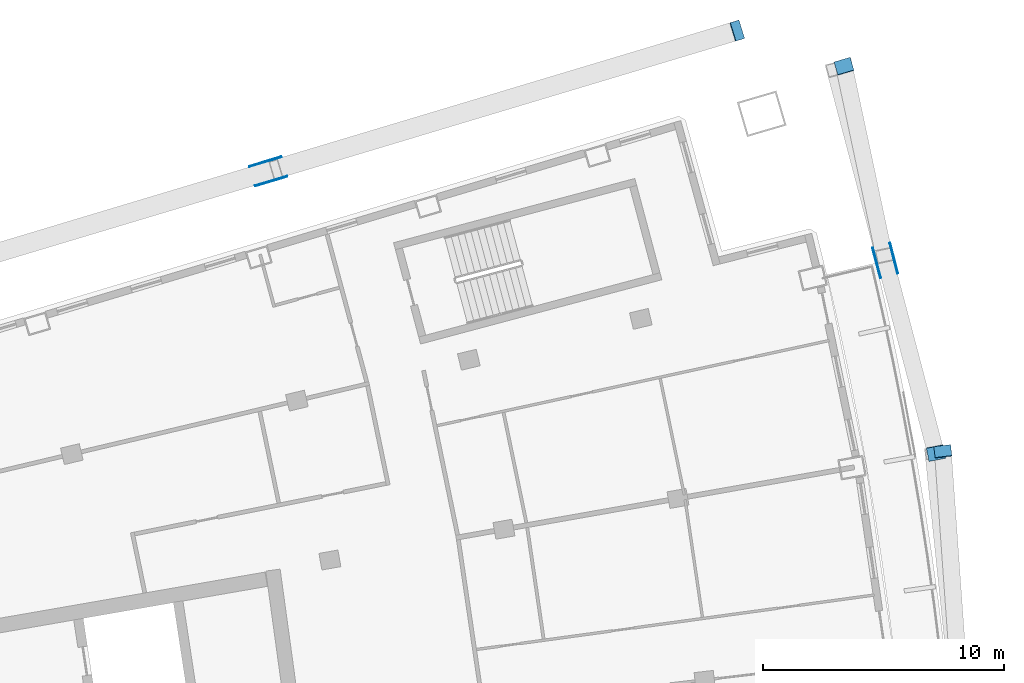
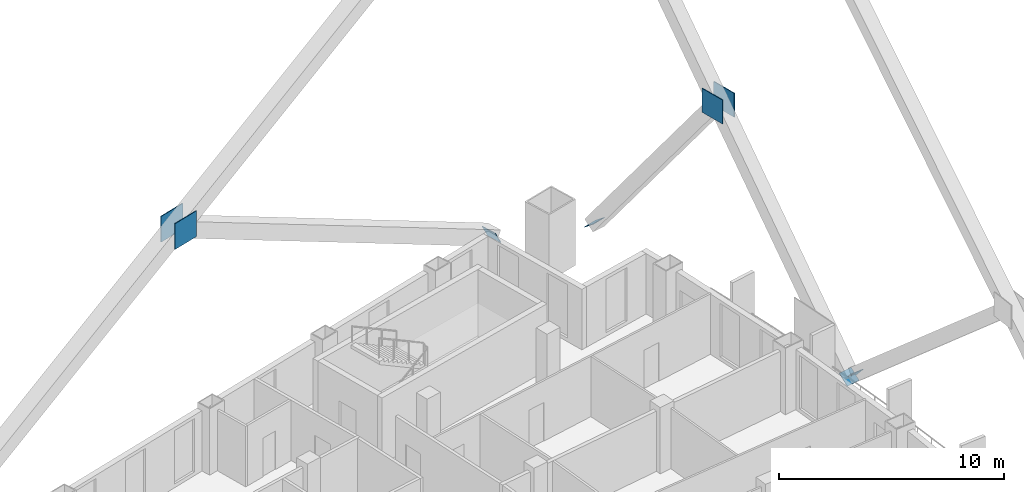
# One storey, part 18 of 20: 8 discrete accessories.
"""IFC4 building model written with IfcOpenShell, lengths in metres."""

from ifc_helpers import new_model, si_unit, direction, frame, origin, origin_2d, place, context, subcontext, project, spatial, rectangle, extrude, material, material_profile, profile_set, type_object, element, save


model = new_model("IFC4")

# Units and contexts
model_context = context("Model", 3, precision=1e-05, world=origin(), true_north=direction((0.0, 1.0)))
body_context = subcontext(model_context, "Body", "Model", "MODEL_VIEW")
ifc_project = project(units=[si_unit("LENGTHUNIT", "METRE"), si_unit("AREAUNIT", "SQUARE_METRE"), si_unit("VOLUMEUNIT", "CUBIC_METRE"), si_unit("PLANEANGLEUNIT", "RADIAN"), si_unit("MASSUNIT", "GRAM", prefix="KILO")], contexts=[model_context])

# Site, building, storey
site_placement = place(None, origin())
site = spatial("IfcSite", under=ifc_project, at=site_placement, CompositionType="ELEMENT")
building_placement = place(site_placement, origin())
building = spatial("IfcBuilding", under=site, at=building_placement, Name="Alderwake Tower", CompositionType="ELEMENT")
storey_placement = place(building_placement, frame((0.0, 0.0, 210.800048828125)))
storey = spatial("IfcBuildingStorey", under=building, at=storey_placement, Name="L52", CompositionType="ELEMENT", Elevation=210.800048828125)

# Discrete accessories
ifc_material_1 = material(Name="Steel ASTM A572 Grade 50", Category="steel")
ifc_material_profile_1 = material_profile(ifc_material_1, rectangle(XDim=0.699951171875, YDim=0.699951171875, at=origin_2d()), Name="BOX 700X700X45 cap")
ifc_profile_set_1 = profile_set([ifc_material_profile_1], Name="Steel ASTM A572 Grade 50")
discrete_accessory_type_1 = type_object("IfcDiscreteAccessoryType", Name="End cap plate BOX 700X700X45", PredefinedType="USERDEFINED", material=ifc_profile_set_1)
discrete_accessory_1_placement = place(storey_placement, frame((59.466552734375, 85.658935546875, 0.0), z_axis=(-0.089859564923, 0.751552724807, 0.653524108528), x_axis=(-0.992927816807, -0.11871963027, 0.0)))
element("IfcDiscreteAccessory", 1, at=discrete_accessory_1_placement, inside=storey, type_object=discrete_accessory_type_1, Name="End cap BRF4.1.7A N", ObjectType="END CAP", PredefinedType="USERDEFINED", context=body_context, shape_type="SweptSolid", body=[
    extrude(rectangle(XDim=0.699951171875, YDim=0.699951171875, at=origin_2d()), origin(), (0.0, 0.0, 1.0), 0.02978515625),
])
discrete_accessory_2_placement = place(storey_placement, frame((55.3662109375, 101.640869140625, 0.0), z_axis=(-0.17127028554, 0.587212407567, 0.791105604639), x_axis=(-0.96, -0.28, 0.0)))
element("IfcDiscreteAccessory", 2, at=discrete_accessory_2_placement, inside=storey, type_object=discrete_accessory_type_1, Name="End cap BRF4.1.10A N", ObjectType="END CAP", PredefinedType="USERDEFINED", context=body_context, shape_type="SweptSolid", body=[
    extrude(rectangle(XDim=0.699951171875, YDim=0.699951171875, at=origin_2d()), origin(), (0.0, 0.0, 1.0), 0.030029296875),
])
discrete_accessory_3_placement = place(storey_placement, frame((59.1767578125, 85.607666015625, 0.0), z_axis=(0.114561835219, -0.597358140783, 0.7937498583), x_axis=(0.982102279235, 0.188348382319, 0.0)))
element("IfcDiscreteAccessory", 3, at=discrete_accessory_3_placement, inside=storey, type_object=discrete_accessory_type_1, Name="End cap BRF4.1.10B2 N", ObjectType="END CAP", PredefinedType="USERDEFINED", context=body_context, shape_type="SweptSolid", body=[
    extrude(rectangle(XDim=0.699951171875, YDim=0.699951171875, at=origin_2d()), origin(), (0.0, 0.0, 1.0), 0.02978515625),
])
ifc_material_2 = material(Name="Steel ASTM A572 Grade 50", Category="steel")
ifc_material_profile_2 = material_profile(ifc_material_2, rectangle(XDim=0.800048828125, YDim=0.800048828125, at=origin_2d()), Name="BOX 800X800X50 cap")
ifc_profile_set_2 = profile_set([ifc_material_profile_2], Name="Steel ASTM A572 Grade 50")
discrete_accessory_type_2 = type_object("IfcDiscreteAccessoryType", Name="End cap plate BOX 800X800X50", PredefinedType="USERDEFINED", material=ifc_profile_set_2)
discrete_accessory_4_placement = place(storey_placement, frame((50.91650390625, 103.123779296875, 0.0), z_axis=(0.843440418178, 0.25952012867, 0.470380233215), x_axis=(-0.294085848838, 0.955779008722, 0.0)))
element("IfcDiscreteAccessory", 4, at=discrete_accessory_4_placement, inside=storey, type_object=discrete_accessory_type_2, Name="End cap BRN4.1.0A N", ObjectType="END CAP", PredefinedType="USERDEFINED", context=body_context, shape_type="SweptSolid", body=[
    extrude(rectangle(XDim=0.800048828125, YDim=0.800048828125, at=origin_2d()), origin(), (0.0, 0.0, 1.0), 0.030029296875),
])
ifc_material_3 = material(Name="Steel ASTM A572 Grade 50", Category="steel")
ifc_material_profile_3 = material_profile(ifc_material_3, rectangle(XDim=1.300048828125, YDim=1.300048828125, at=origin_2d()), Name="gusset 1300X1300")
ifc_profile_set_3 = profile_set([ifc_material_profile_3], Name="Steel ASTM A572 Grade 50")
discrete_accessory_type_3 = type_object("IfcDiscreteAccessoryType", Name="Gusset plate 1300X1300X40", PredefinedType="USERDEFINED", material=ifc_profile_set_3)
for number, where, z_axis, x_axis, name in (
    (5, (57.41259765625, 93.6787109375, 10.800048828125), (0.968324838627, 0.249693826313, 0.0), (-0.249693826313, 0.968324838627, 0.0), "Gusset plate BRF4.2.10B outer"),
    (6, (56.73583984375, 93.500244140625, 10.800048828125), (-0.966837822169, -0.255391122837, 0.0), (0.255391122837, -0.966837822169, 0.0), "Gusset plate BRF4.2.10B inner"),
):
    element("IfcDiscreteAccessory", number, at=place(storey_placement, frame(where, z_axis=z_axis, x_axis=x_axis)), inside=storey, type_object=discrete_accessory_type_3, Name=name, ObjectType="GUSSET PLATE", PredefinedType="USERDEFINED", context=body_context, shape_type="SweptSolid", body=[
        extrude(rectangle(XDim=1.300048828125, YDim=1.300048828125, at=origin_2d()), origin(), (0.0, 0.0, 1.0), 0.0400390625),
    ])
ifc_material_4 = material(Name="Steel ASTM A572 Grade 50", Category="steel")
ifc_material_profile_4 = material_profile(ifc_material_4, rectangle(XDim=1.39990234375, YDim=1.39990234375, at=origin_2d()), Name="gusset 1400X1400")
ifc_profile_set_4 = profile_set([ifc_material_profile_4], Name="Steel ASTM A572 Grade 50")
discrete_accessory_type_4 = type_object("IfcDiscreteAccessoryType", Name="Gusset plate 1400X1400X40", PredefinedType="USERDEFINED", material=ifc_profile_set_4)
discrete_accessory_5_placement = place(storey_placement, frame((31.358642578125, 97.669921875, 10.800048828125), z_axis=(-0.288473878152, 0.957487765783, 0.0), x_axis=(-0.957487765783, -0.288473878152, 0.0)))
element("IfcDiscreteAccessory", 7, at=discrete_accessory_5_placement, inside=storey, type_object=discrete_accessory_type_4, Name="Gusset plate BRN4.2.0B outer", ObjectType="GUSSET PLATE", PredefinedType="USERDEFINED", context=body_context, shape_type="SweptSolid", body=[
    extrude(rectangle(XDim=1.39990234375, YDim=1.39990234375, at=origin_2d()), origin(), (0.0, 0.0, 1.0), 0.039794921875),
])
discrete_accessory_6_placement = place(storey_placement, frame((31.5888671875, 96.903564453125, 10.800048828125), z_axis=(0.286788031626, -0.95799406309, 0.0), x_axis=(0.95799406309, 0.286788031626, 0.0)))
element("IfcDiscreteAccessory", 8, at=discrete_accessory_6_placement, inside=storey, type_object=discrete_accessory_type_4, Name="Gusset plate BRN4.2.0B inner", ObjectType="GUSSET PLATE", PredefinedType="USERDEFINED", context=body_context, shape_type="SweptSolid", body=[
    extrude(rectangle(XDim=1.39990234375, YDim=1.39990234375, at=origin_2d()), origin(), (0.0, 0.0, 1.0), 0.0400390625),
])

save(model, "model.ifc")
